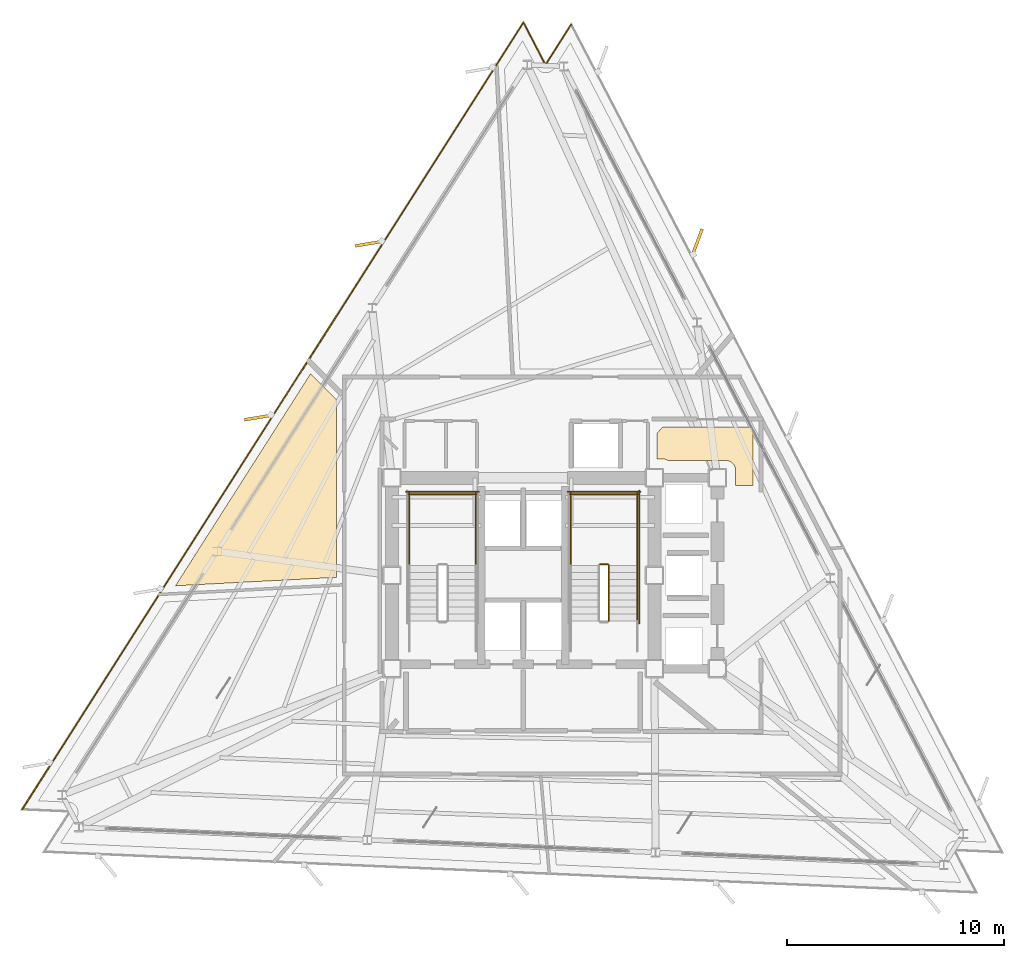
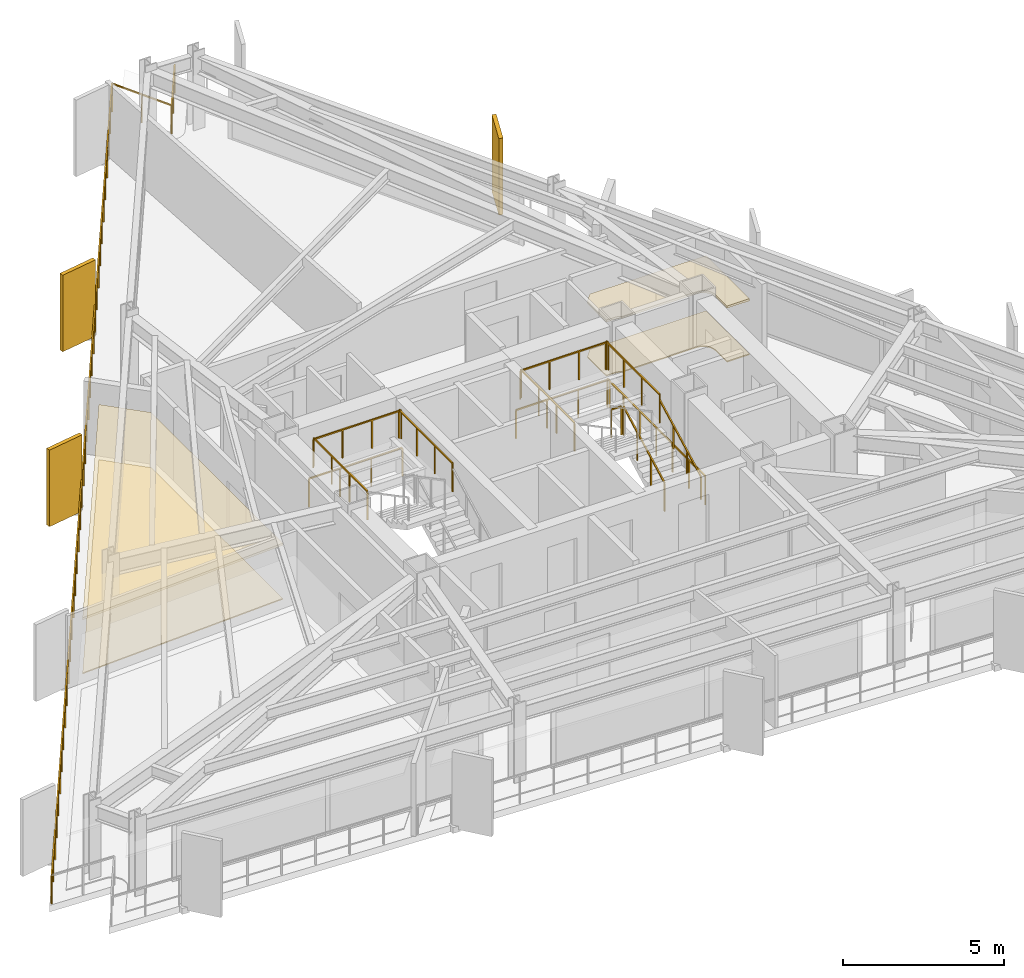
# One storey, part 11 of 12: 13 railings, 4 coverings, 3 shading devices.
"""IFC4 building model written with IfcOpenShell, lengths in metres."""

from ifc_helpers import new_model, si_unit, direction, frame, origin, origin_2d, place, context, subcontext, project, spatial, polyline, rectangle, outline, extrude, material, layer, layer_set, type_object, element, save


model = new_model("IFC4")

# Units and contexts
model_context = context("Model", 3, precision=1e-05, world=origin(), true_north=direction((0.0, 1.0)))
body_context = subcontext(model_context, "Body", "Model", "MODEL_VIEW")
ifc_project = project(units=[si_unit("LENGTHUNIT", "METRE"), si_unit("AREAUNIT", "SQUARE_METRE"), si_unit("VOLUMEUNIT", "CUBIC_METRE"), si_unit("PLANEANGLEUNIT", "RADIAN"), si_unit("MASSUNIT", "GRAM", prefix="KILO")], contexts=[model_context])

# Site, building, storey
site_placement = place(None, origin())
site = spatial("IfcSite", under=ifc_project, at=site_placement, CompositionType="ELEMENT")
building_placement = place(site_placement, origin())
building = spatial("IfcBuilding", under=site, at=building_placement, Name="Rocaltana Carrier Exchange", CompositionType="ELEMENT")
storey_placement = place(building_placement, frame((0.0, 0.0, 132.0)))
storey = spatial("IfcBuildingStorey", under=building, at=storey_placement, Name="L41", CompositionType="ELEMENT", Elevation=132.0)

# Coverings
ifc_material_1 = material(Name="Honed Bogota Sandstone Tile", Category="masonry")
ifc_layer_1 = layer(ifc_material_1, 0.0400390625)
ifc_layer_set_1 = layer_set([ifc_layer_1], Name="Honed Bogota Sandstone Tile")
covering_type_1 = type_object("IfcCoveringType", Name="Honed Stone Lobby Flooring 40", PredefinedType="FLOORING", material=ifc_layer_set_1)
covering_1_placement = place(storey_placement, origin())
element("IfcCovering", 1, at=covering_1_placement, inside=storey, type_object=covering_type_1, Name="L41 Peering Conference Room Finish Floor", PredefinedType="FLOORING", context=body_context, shape_type="SweptSolid", body=[
    extrude(outline(polyline([(6.6875, 5.2900390625), (6.682861328125, 5.293212890625), (6.66943359375, 5.30126953125), (6.64501953125, 5.314208984375), (6.630859375, 5.32080078125), (6.605712890625, 5.33154296875), (6.5908203125, 5.336669921875), (6.564453125, 5.3447265625), (6.54931640625, 5.348388671875), (6.522216796875, 5.35400390625), (6.5068359375, 5.356201171875), (6.4794921875, 5.35888671875), (6.463623046875, 5.359619140625), (6.449951171875, 5.360107421875), (6.159912109375, 5.360107421875), (6.159912109375, 6.53759765625), (6.4228515625, 6.840087890625), (10.60009765625, 6.840087890625), (10.60009765625, 4.139892578125), (9.7900390625, 4.139892578125), (9.7900390625, 4.85009765625), (9.789794921875, 4.86376953125), (9.788818359375, 4.87939453125), (9.7861328125, 4.90673828125), (9.783935546875, 4.92236328125), (9.778564453125, 4.94921875), (9.774658203125, 4.964599609375), (9.7666015625, 4.99072265625), (9.761474609375, 5.005615234375), (9.7509765625, 5.031005859375), (9.744140625, 5.045166015625), (9.731201171875, 5.0693359375), (9.72314453125, 5.082763671875), (9.7080078125, 5.105712890625), (9.698486328125, 5.118408203125), (9.68115234375, 5.139404296875), (9.670654296875, 5.151123046875), (9.651123046875, 5.170654296875), (9.639404296875, 5.18115234375), (9.618408203125, 5.198486328125), (9.605712890625, 5.2080078125), (9.582763671875, 5.22314453125), (9.5693359375, 5.231201171875), (9.545166015625, 5.244140625), (9.531005859375, 5.2509765625), (9.505615234375, 5.261474609375), (9.49072265625, 5.2666015625), (9.464599609375, 5.274658203125), (9.44921875, 5.278564453125), (9.42236328125, 5.283935546875), (9.40673828125, 5.2861328125), (9.37939453125, 5.288818359375), (9.36376953125, 5.289794921875), (9.35009765625, 5.2900390625), (6.6875, 5.2900390625)])), origin(), (0.0, 0.0, 1.0), 0.0400390625),
])
covering_2_placement = place(storey_placement, origin())
element("IfcCovering", 2, at=covering_2_placement, inside=storey, type_object=covering_type_1, Name="L41 Carrier Peering Suite Finish Floor", PredefinedType="FLOORING", context=body_context, shape_type="SweptSolid", body=[
    extrude(outline(polyline([(-9.802734375, 9.293701171875), (-8.610107421875, 8.100830078125), (-8.610107421875, -0.0908203125), (-16.02880859375, -0.4794921875), (-9.802734375, 9.293701171875)])), origin(), (0.0, 0.0, 1.0), 0.0400390625),
])
ifc_material_2 = material(Name="Anodised Aluminium 6063-T6", Category="aluminium")
ifc_layer_2 = layer(ifc_material_2, 0.0849609375)
ifc_layer_set_2 = layer_set([ifc_layer_2], Name="Anodised Aluminium 6063-T6")
covering_type_2 = type_object("IfcCoveringType", Name="Linear Baffle Acoustic Ceiling 85", PredefinedType="CEILING", material=ifc_layer_set_2)
covering_3_placement = place(storey_placement, frame((0.0, 0.0, 2.052978515625)))
element("IfcCovering", 3, at=covering_3_placement, inside=storey, type_object=covering_type_2, Name="L41 Peering Conference Room Acoustic Ceiling", PredefinedType="CEILING", context=body_context, shape_type="SweptSolid", body=[
    extrude(outline(polyline([(6.6875, 5.2900390625), (6.682861328125, 5.293212890625), (6.66943359375, 5.30126953125), (6.64501953125, 5.314208984375), (6.630859375, 5.32080078125), (6.605712890625, 5.33154296875), (6.5908203125, 5.336669921875), (6.564453125, 5.3447265625), (6.54931640625, 5.348388671875), (6.522216796875, 5.35400390625), (6.5068359375, 5.356201171875), (6.4794921875, 5.35888671875), (6.463623046875, 5.359619140625), (6.449951171875, 5.360107421875), (6.159912109375, 5.360107421875), (6.159912109375, 6.53759765625), (6.4228515625, 6.840087890625), (10.60009765625, 6.840087890625), (10.60009765625, 4.139892578125), (9.7900390625, 4.139892578125), (9.7900390625, 4.85009765625), (9.789794921875, 4.86376953125), (9.788818359375, 4.87939453125), (9.7861328125, 4.90673828125), (9.783935546875, 4.92236328125), (9.778564453125, 4.94921875), (9.774658203125, 4.964599609375), (9.7666015625, 4.99072265625), (9.761474609375, 5.005615234375), (9.7509765625, 5.031005859375), (9.744140625, 5.045166015625), (9.731201171875, 5.0693359375), (9.72314453125, 5.082763671875), (9.7080078125, 5.105712890625), (9.698486328125, 5.118408203125), (9.68115234375, 5.139404296875), (9.670654296875, 5.151123046875), (9.651123046875, 5.170654296875), (9.639404296875, 5.18115234375), (9.618408203125, 5.198486328125), (9.605712890625, 5.2080078125), (9.582763671875, 5.22314453125), (9.5693359375, 5.231201171875), (9.545166015625, 5.244140625), (9.531005859375, 5.2509765625), (9.505615234375, 5.261474609375), (9.49072265625, 5.2666015625), (9.464599609375, 5.274658203125), (9.44921875, 5.278564453125), (9.42236328125, 5.283935546875), (9.40673828125, 5.2861328125), (9.37939453125, 5.288818359375), (9.36376953125, 5.289794921875), (9.35009765625, 5.2900390625), (6.6875, 5.2900390625)])), origin(), (0.0, 0.0, 1.0), 0.0849609375),
])
covering_4_placement = place(storey_placement, frame((0.0, 0.0, 2.052978515625)))
element("IfcCovering", 4, at=covering_4_placement, inside=storey, type_object=covering_type_2, Name="L41 Carrier Peering Suite Acoustic Ceiling", PredefinedType="CEILING", context=body_context, shape_type="SweptSolid", body=[
    extrude(outline(polyline([(-9.802734375, 9.293701171875), (-8.610107421875, 8.100830078125), (-8.610107421875, -0.0908203125), (-16.02880859375, -0.4794921875), (-9.802734375, 9.293701171875)])), origin(), (0.0, 0.0, 1.0), 0.0849609375),
])

# Railings
ifc_material_3 = material(Name="Brushed Architectural Stainless Tube", Category="steel")
ifc_layer_3 = layer(ifc_material_3, 0.048095703125)
ifc_layer_set_3 = layer_set([ifc_layer_3], Name="Brushed Architectural Stainless Tube")
railing_type_1 = type_object("IfcRailingType", Name="Stair Wall Handrail 920", PredefinedType="HANDRAIL", material=ifc_layer_set_3)
railing_1_placement = place(storey_placement, frame((5.25, -2.10009765625, 0.1689453125)))
element("IfcRailing", 5, at=railing_1_placement, inside=storey, type_object=railing_type_1, Name="L41 ST-2 stair handrail 1", PredefinedType="HANDRAIL", context=body_context, shape_type="SweptSolid", body=[
    extrude(rectangle(XDim=0.048095703125, YDim=0.048095703125, at=origin_2d()), frame((0.0, 0.0, 0.8759765625), z_axis=(0.0, 0.884394423565, 0.466740295633), x_axis=(-1.0, 0.0, 0.0)), (0.0, 0.0, 1.0), 2.894775390625),
    extrude(rectangle(XDim=0.0419921875, YDim=0.0419921875, at=origin_2d()), origin(), (0.0, 0.0, 1.0), 0.851806640625),
    extrude(rectangle(XDim=0.0419921875, YDim=0.0419921875, at=origin_2d()), frame((0.0, 0.853271484375, 0.450439453125)), (0.0, 0.0, 1.0), 0.851806640625),
    extrude(rectangle(XDim=0.0419921875, YDim=0.0419921875, at=origin_2d()), frame((0.0, 1.706787109375, 0.900634765625)), (0.0, 0.0, 1.0), 0.851806640625),
    extrude(rectangle(XDim=0.0419921875, YDim=0.0419921875, at=origin_2d()), frame((0.0, 2.56005859375, 1.35107421875)), (0.0, 0.0, 1.0), 0.851806640625),
])
ifc_material_4 = material(Name="Powder-Coated Aluminium 6063-T6", Category="aluminium")
ifc_layer_4 = layer(ifc_material_4, 0.048095703125)
ifc_layer_set_4 = layer_set([ifc_layer_4], Name="Powder-Coated Aluminium 6063-T6")
railing_type_2 = type_object("IfcRailingType", Name="Stair Well Guardrail 1100", PredefinedType="GUARDRAIL", material=ifc_layer_set_4)
for number, where, name in (
    (6, (-2.18994140625, 0.4599609375, 1.52001953125), "L41 ST-1 stair guard 3"),
    (7, (-5.25, 0.4599609375, 1.52001953125), "L41 ST-1 stair guard 4"),
):
    element("IfcRailing", number, at=place(storey_placement, frame(where)), inside=storey, type_object=railing_type_2, Name=name, PredefinedType="GUARDRAIL", context=body_context, shape_type="SweptSolid", body=[
        extrude(rectangle(XDim=0.048095703125, YDim=0.048095703125, at=origin_2d()), frame((0.0, 0.0, 1.076171875), z_axis=(0.0, 1.0, 0.0), x_axis=(-1.0, 0.0, 0.0)), (0.0, 0.0, 1.0), 3.340087890625),
        extrude(rectangle(XDim=0.0419921875, YDim=0.0419921875, at=origin_2d()), origin(), (0.0, 0.0, 1.0), 1.052001953125),
        extrude(rectangle(XDim=0.0419921875, YDim=0.0419921875, at=origin_2d()), frame((0.0, 1.11328125, 0.0)), (0.0, 0.0, 1.0), 1.052001953125),
        extrude(rectangle(XDim=0.0419921875, YDim=0.0419921875, at=origin_2d()), frame((0.0, 2.226806640625, 0.0)), (0.0, 0.0, 1.0), 1.052001953125),
        extrude(rectangle(XDim=0.0419921875, YDim=0.0419921875, at=origin_2d()), frame((0.0, 3.340087890625, 0.0)), (0.0, 0.0, 1.0), 1.052001953125),
    ])
railing_2_placement = place(storey_placement, frame((-2.139892578125, 3.75, 1.52001953125)))
element("IfcRailing", 8, at=railing_2_placement, inside=storey, type_object=railing_type_2, Name="L41 ST-1 stair guard 5", PredefinedType="GUARDRAIL", context=body_context, shape_type="SweptSolid", body=[
    extrude(rectangle(XDim=0.048095703125, YDim=0.048095703125, at=origin_2d()), frame((0.0, 0.0, 1.076171875), z_axis=(-1.0, 0.0, 0.0), x_axis=(0.0, -1.0, 0.0)), (0.0, 0.0, 1.0), 3.16015625),
    extrude(rectangle(XDim=0.0419921875, YDim=0.0419921875, at=origin_2d()), origin(), (0.0, 0.0, 1.0), 1.052001953125),
    extrude(rectangle(XDim=0.0419921875, YDim=0.0419921875, at=origin_2d()), frame((-1.053466796875, 0.0, 0.0)), (0.0, 0.0, 1.0), 1.052001953125),
    extrude(rectangle(XDim=0.0419921875, YDim=0.0419921875, at=origin_2d()), frame((-2.106689453125, 0.0, 0.0)), (0.0, 0.0, 1.0), 1.052001953125),
    extrude(rectangle(XDim=0.0419921875, YDim=0.0419921875, at=origin_2d()), frame((-3.16015625, 0.0, 0.0)), (0.0, 0.0, 1.0), 1.052001953125),
])
railing_3_placement = place(storey_placement, frame((-2.0400390625, 3.85009765625, 0.0)))
element("IfcRailing", 9, at=railing_3_placement, inside=storey, type_object=railing_type_2, Name="L41 ST-1 stair guard 12", PredefinedType="GUARDRAIL", context=body_context, shape_type="SweptSolid", body=[
    extrude(rectangle(XDim=0.048095703125, YDim=0.048095703125, at=origin_2d()), frame((0.0, 0.0, 1.076171875), z_axis=(-1.0, 0.0, 0.0), x_axis=(0.0, -1.0, 0.0)), (0.0, 0.0, 1.0), 3.35986328125),
    extrude(rectangle(XDim=0.0419921875, YDim=0.0419921875, at=origin_2d()), origin(), (0.0, 0.0, 1.0), 1.052001953125),
    extrude(rectangle(XDim=0.0419921875, YDim=0.0419921875, at=origin_2d()), frame((-1.119873046875, 0.0, 0.0)), (0.0, 0.0, 1.0), 1.052001953125),
    extrude(rectangle(XDim=0.0419921875, YDim=0.0419921875, at=origin_2d()), frame((-2.239990234375, 0.0, 0.0)), (0.0, 0.0, 1.0), 1.052001953125),
    extrude(rectangle(XDim=0.0419921875, YDim=0.0419921875, at=origin_2d()), frame((-3.35986328125, 0.0, 0.0)), (0.0, 0.0, 1.0), 1.052001953125),
])
railing_4_placement = place(storey_placement, frame((3.949951171875, -2.10009765625, 0.1689453125)))
element("IfcRailing", 10, at=railing_4_placement, inside=storey, type_object=railing_type_2, Name="L41 ST-2 stair guard 1", PredefinedType="GUARDRAIL", context=body_context, shape_type="SweptSolid", body=[
    extrude(rectangle(XDim=0.048095703125, YDim=0.048095703125, at=origin_2d()), frame((0.0, 0.0, 1.076171875), z_axis=(0.0, 0.884394423565, 0.466740295633), x_axis=(-1.0, 0.0, 0.0)), (0.0, 0.0, 1.0), 2.894775390625),
    extrude(rectangle(XDim=0.0419921875, YDim=0.0419921875, at=origin_2d()), origin(), (0.0, 0.0, 1.0), 1.052001953125),
    extrude(rectangle(XDim=0.0419921875, YDim=0.0419921875, at=origin_2d()), frame((0.0, 0.853271484375, 0.450439453125)), (0.0, 0.0, 1.0), 1.052001953125),
    extrude(rectangle(XDim=0.0419921875, YDim=0.0419921875, at=origin_2d()), frame((0.0, 1.706787109375, 0.900634765625)), (0.0, 0.0, 1.0), 1.052001953125),
    extrude(rectangle(XDim=0.0419921875, YDim=0.0419921875, at=origin_2d()), frame((0.0, 2.56005859375, 1.35107421875)), (0.0, 0.0, 1.0), 1.052001953125),
])
railing_5_placement = place(storey_placement, frame((3.89990234375, 0.510009765625, 1.52001953125)))
element("IfcRailing", 11, at=railing_5_placement, inside=storey, type_object=railing_type_2, Name="L41 ST-2 stair guard 2", PredefinedType="GUARDRAIL", context=body_context, shape_type="SweptSolid", body=[
    extrude(rectangle(XDim=0.048095703125, YDim=0.048095703125, at=origin_2d()), frame((0.0, 0.0, 1.076171875), z_axis=(-1.0, 0.0, 0.0), x_axis=(0.0, -1.0, 0.0)), (0.0, 0.0, 1.0), 0.35986328125),
    extrude(rectangle(XDim=0.0419921875, YDim=0.0419921875, at=origin_2d()), origin(), (0.0, 0.0, 1.0), 1.052001953125),
    extrude(rectangle(XDim=0.0419921875, YDim=0.0419921875, at=origin_2d()), frame((-0.35986328125, 0.0, 0.0)), (0.0, 0.0, 1.0), 1.052001953125),
])
for number, where, name in (
    (12, (5.25, 0.4599609375, 1.52001953125), "L41 ST-2 stair guard 3"),
    (13, (2.18994140625, 0.4599609375, 1.52001953125), "L41 ST-2 stair guard 4"),
):
    element("IfcRailing", number, at=place(storey_placement, frame(where)), inside=storey, type_object=railing_type_2, Name=name, PredefinedType="GUARDRAIL", context=body_context, shape_type="SweptSolid", body=[
        extrude(rectangle(XDim=0.048095703125, YDim=0.048095703125, at=origin_2d()), frame((0.0, 0.0, 1.076171875), z_axis=(0.0, 1.0, 0.0), x_axis=(-1.0, 0.0, 0.0)), (0.0, 0.0, 1.0), 3.340087890625),
        extrude(rectangle(XDim=0.0419921875, YDim=0.0419921875, at=origin_2d()), origin(), (0.0, 0.0, 1.0), 1.052001953125),
        extrude(rectangle(XDim=0.0419921875, YDim=0.0419921875, at=origin_2d()), frame((0.0, 1.11328125, 0.0)), (0.0, 0.0, 1.0), 1.052001953125),
        extrude(rectangle(XDim=0.0419921875, YDim=0.0419921875, at=origin_2d()), frame((0.0, 2.226806640625, 0.0)), (0.0, 0.0, 1.0), 1.052001953125),
        extrude(rectangle(XDim=0.0419921875, YDim=0.0419921875, at=origin_2d()), frame((0.0, 3.340087890625, 0.0)), (0.0, 0.0, 1.0), 1.052001953125),
    ])
railing_6_placement = place(storey_placement, frame((5.300048828125, 3.75, 1.52001953125)))
element("IfcRailing", 14, at=railing_6_placement, inside=storey, type_object=railing_type_2, Name="L41 ST-2 stair guard 5", PredefinedType="GUARDRAIL", context=body_context, shape_type="SweptSolid", body=[
    extrude(rectangle(XDim=0.048095703125, YDim=0.048095703125, at=origin_2d()), frame((0.0, 0.0, 1.076171875), z_axis=(-1.0, 0.0, 0.0), x_axis=(0.0, -1.0, 0.0)), (0.0, 0.0, 1.0), 3.16015625),
    extrude(rectangle(XDim=0.0419921875, YDim=0.0419921875, at=origin_2d()), origin(), (0.0, 0.0, 1.0), 1.052001953125),
    extrude(rectangle(XDim=0.0419921875, YDim=0.0419921875, at=origin_2d()), frame((-1.053466796875, 0.0, 0.0)), (0.0, 0.0, 1.0), 1.052001953125),
    extrude(rectangle(XDim=0.0419921875, YDim=0.0419921875, at=origin_2d()), frame((-2.106689453125, 0.0, 0.0)), (0.0, 0.0, 1.0), 1.052001953125),
    extrude(rectangle(XDim=0.0419921875, YDim=0.0419921875, at=origin_2d()), frame((-3.16015625, 0.0, 0.0)), (0.0, 0.0, 1.0), 1.052001953125),
])
railing_7_placement = place(storey_placement, frame((5.35009765625, -2.199951171875, 0.0)))
element("IfcRailing", 15, at=railing_7_placement, inside=storey, type_object=railing_type_2, Name="L41 ST-2 stair guard 10", PredefinedType="GUARDRAIL", context=body_context, shape_type="SweptSolid", body=[
    extrude(rectangle(XDim=0.048095703125, YDim=0.048095703125, at=origin_2d()), frame((0.0, 0.0, 1.076171875), z_axis=(0.0, 1.0, 0.0), x_axis=(-1.0, 0.0, 0.0)), (0.0, 0.0, 1.0), 6.099853515625),
    extrude(rectangle(XDim=0.0419921875, YDim=0.0419921875, at=origin_2d()), origin(), (0.0, 0.0, 1.0), 1.052001953125),
    extrude(rectangle(XDim=0.0419921875, YDim=0.0419921875, at=origin_2d()), frame((0.0, 1.0166015625, 0.0)), (0.0, 0.0, 1.0), 1.052001953125),
    extrude(rectangle(XDim=0.0419921875, YDim=0.0419921875, at=origin_2d()), frame((0.0, 2.033203125, 0.0)), (0.0, 0.0, 1.0), 1.052001953125),
    extrude(rectangle(XDim=0.0419921875, YDim=0.0419921875, at=origin_2d()), frame((0.0, 3.0498046875, 0.0)), (0.0, 0.0, 1.0), 1.052001953125),
    extrude(rectangle(XDim=0.0419921875, YDim=0.0419921875, at=origin_2d()), frame((0.0, 4.066650390625, 0.0)), (0.0, 0.0, 1.0), 1.052001953125),
    extrude(rectangle(XDim=0.0419921875, YDim=0.0419921875, at=origin_2d()), frame((0.0, 5.083251953125, 0.0)), (0.0, 0.0, 1.0), 1.052001953125),
    extrude(rectangle(XDim=0.0419921875, YDim=0.0419921875, at=origin_2d()), frame((0.0, 6.099853515625, 0.0)), (0.0, 0.0, 1.0), 1.052001953125),
])
railing_8_placement = place(storey_placement, frame((5.39990234375, 3.85009765625, 0.0)))
element("IfcRailing", 16, at=railing_8_placement, inside=storey, type_object=railing_type_2, Name="L41 ST-2 stair guard 12", PredefinedType="GUARDRAIL", context=body_context, shape_type="SweptSolid", body=[
    extrude(rectangle(XDim=0.048095703125, YDim=0.048095703125, at=origin_2d()), frame((0.0, 0.0, 1.076171875), z_axis=(-1.0, 0.0, 0.0), x_axis=(0.0, -1.0, 0.0)), (0.0, 0.0, 1.0), 3.35986328125),
    extrude(rectangle(XDim=0.0419921875, YDim=0.0419921875, at=origin_2d()), origin(), (0.0, 0.0, 1.0), 1.052001953125),
    extrude(rectangle(XDim=0.0419921875, YDim=0.0419921875, at=origin_2d()), frame((-1.119873046875, 0.0, 0.0)), (0.0, 0.0, 1.0), 1.052001953125),
    extrude(rectangle(XDim=0.0419921875, YDim=0.0419921875, at=origin_2d()), frame((-2.239990234375, 0.0, 0.0)), (0.0, 0.0, 1.0), 1.052001953125),
    extrude(rectangle(XDim=0.0419921875, YDim=0.0419921875, at=origin_2d()), frame((-3.35986328125, 0.0, 0.0)), (0.0, 0.0, 1.0), 1.052001953125),
])

# Shading devices
ifc_material_5 = material(Name="Honed Bogota Sandstone & Concrete C45/55", Category="masonry")
ifc_layer_5 = layer(ifc_material_5, 0.139892578125)
ifc_layer_set_5 = layer_set([ifc_layer_5], Name="Honed Bogota Sandstone & Concrete C45/55")
shading_device_type = type_object("IfcShadingDeviceType", Name="Vertical Sandstone Shading Fin 1320x140", PredefinedType="USERDEFINED", material=ifc_layer_set_5)
for number, where, z_axis, x_axis, name in (
    (17, (8.018798828125, 15.352294921875, -0.1201171875), (0.0, 0.0, 1.0), (0.350207381259, 0.936672189248, 0.0), "L41 Sandstone Vertical Fin F1-04"),
    (18, (-7.09619140625, 15.29296875, -0.1201171875), (0.0, 0.0, 1.0), (-0.986285601537, -0.165047605861, 0.0), "L41 Sandstone Vertical Fin F2-02"),
    (19, (-12.200439453125, 7.28076171875, -0.1201171875), (0.0, 0.0, 1.0), (-0.986285601537, -0.165047605861, 0.0), "L41 Sandstone Vertical Fin F2-03"),
):
    element("IfcShadingDevice", number, at=place(storey_placement, frame(where, z_axis=z_axis, x_axis=x_axis)), inside=storey, type_object=shading_device_type, Name=name, ObjectType="FIN", PredefinedType="USERDEFINED", context=body_context, shape_type="SweptSolid", body=[
        extrude(rectangle(XDim=1.320068359375, YDim=0.139892578125, at=origin_2d()), origin(), (0.0, 0.0, 1.0), 2.907958984375),
    ])

# Railing
ifc_material_6 = material(Name="Powder-Coated Aluminium 6063-T6", Category="aluminium")
ifc_layer_6 = layer(ifc_material_6, 0.06005859375)
ifc_layer_set_6 = layer_set([ifc_layer_6], Name="Powder-Coated Aluminium 6063-T6")
railing_type_3 = type_object("IfcRailingType", Name="Wind-Floor & Terrace Perimeter Guardrail 1100", PredefinedType="GUARDRAIL", material=ifc_layer_set_6)
railing_9_placement = place(storey_placement, frame((-23.08837890625, -10.77880859375, 0.0)))
element("IfcRailing", 20, at=railing_9_placement, inside=storey, type_object=railing_type_3, Name="L41 Perimeter Balcony Guardrail 2", PredefinedType="GUARDRAIL", context=body_context, shape_type="SweptSolid", body=[
    extrude(rectangle(XDim=0.048095703125, YDim=0.048095703125, at=origin_2d()), frame((0.0, 0.0, 1.076171875), z_axis=(0.537302027916, 0.843389904373, 0.0), x_axis=(-0.843389904373, 0.537302027916, 0.0)), (0.0, 0.0, 1.0), 42.9921875),
    extrude(rectangle(XDim=0.048095703125, YDim=0.048095703125, at=origin_2d()), frame((23.099853515625, 36.25927734375, 1.076171875), z_axis=(0.46171255631, -0.887029602294, 0.0), x_axis=(0.887029602294, 0.46171255631, 0.0)), (0.0, 0.0, 1.0), 2.2001953125),
    extrude(rectangle(XDim=0.048095703125, YDim=0.048095703125, at=origin_2d()), frame((24.11572265625, 34.3076171875, 1.076171875), z_axis=(0.537270321913, 0.843410102614, 0.0), x_axis=(-0.843410102614, 0.537270321913, 0.0)), (0.0, 0.0, 1.0), 2.2001953125),
    extrude(rectangle(XDim=0.0419921875, YDim=0.0419921875, at=origin_2d()), origin(), (0.0, 0.0, 1.0), 1.052001953125),
    extrude(rectangle(XDim=0.0419921875, YDim=0.0419921875, at=origin_2d()), frame((0.6416015625, 1.00732421875, 0.0)), (0.0, 0.0, 1.0), 1.052001953125),
    extrude(rectangle(XDim=0.0419921875, YDim=0.0419921875, at=origin_2d()), frame((1.283203125, 2.014404296875, 0.0)), (0.0, 0.0, 1.0), 1.052001953125),
    extrude(rectangle(XDim=0.0419921875, YDim=0.0419921875, at=origin_2d()), frame((1.925048828125, 3.021484375, 0.0)), (0.0, 0.0, 1.0), 1.052001953125),
    extrude(rectangle(XDim=0.0419921875, YDim=0.0419921875, at=origin_2d()), frame((2.566650390625, 4.02880859375, 0.0)), (0.0, 0.0, 1.0), 1.052001953125),
    extrude(rectangle(XDim=0.0419921875, YDim=0.0419921875, at=origin_2d()), frame((3.208251953125, 5.0361328125, 0.0)), (0.0, 0.0, 1.0), 1.052001953125),
    extrude(rectangle(XDim=0.0419921875, YDim=0.0419921875, at=origin_2d()), frame((3.85009765625, 6.043212890625, 0.0)), (0.0, 0.0, 1.0), 1.052001953125),
    extrude(rectangle(XDim=0.0419921875, YDim=0.0419921875, at=origin_2d()), frame((4.49169921875, 7.05029296875, 0.0)), (0.0, 0.0, 1.0), 1.052001953125),
    extrude(rectangle(XDim=0.0419921875, YDim=0.0419921875, at=origin_2d()), frame((5.13330078125, 8.0576171875, 0.0)), (0.0, 0.0, 1.0), 1.052001953125),
    extrude(rectangle(XDim=0.0419921875, YDim=0.0419921875, at=origin_2d()), frame((5.77490234375, 9.06494140625, 0.0)), (0.0, 0.0, 1.0), 1.052001953125),
    extrude(rectangle(XDim=0.0419921875, YDim=0.0419921875, at=origin_2d()), frame((6.41650390625, 10.072021484375, 0.0)), (0.0, 0.0, 1.0), 1.052001953125),
    extrude(rectangle(XDim=0.0419921875, YDim=0.0419921875, at=origin_2d()), frame((7.058349609375, 11.079345703125, 0.0)), (0.0, 0.0, 1.0), 1.052001953125),
    extrude(rectangle(XDim=0.0419921875, YDim=0.0419921875, at=origin_2d()), frame((7.699951171875, 12.08642578125, 0.0)), (0.0, 0.0, 1.0), 1.052001953125),
    extrude(rectangle(XDim=0.0419921875, YDim=0.0419921875, at=origin_2d()), frame((8.341552734375, 13.09375, 0.0)), (0.0, 0.0, 1.0), 1.052001953125),
    extrude(rectangle(XDim=0.0419921875, YDim=0.0419921875, at=origin_2d()), frame((8.9833984375, 14.100830078125, 0.0)), (0.0, 0.0, 1.0), 1.052001953125),
    extrude(rectangle(XDim=0.0419921875, YDim=0.0419921875, at=origin_2d()), frame((9.625, 15.10791015625, 0.0)), (0.0, 0.0, 1.0), 1.052001953125),
    extrude(rectangle(XDim=0.0419921875, YDim=0.0419921875, at=origin_2d()), frame((10.2666015625, 16.115234375, 0.0)), (0.0, 0.0, 1.0), 1.052001953125),
    extrude(rectangle(XDim=0.0419921875, YDim=0.0419921875, at=origin_2d()), frame((10.908203125, 17.12255859375, 0.0)), (0.0, 0.0, 1.0), 1.052001953125),
    extrude(rectangle(XDim=0.0419921875, YDim=0.0419921875, at=origin_2d()), frame((11.5498046875, 18.129638671875, 0.0)), (0.0, 0.0, 1.0), 1.052001953125),
    extrude(rectangle(XDim=0.0419921875, YDim=0.0419921875, at=origin_2d()), frame((12.191650390625, 19.13671875, 0.0)), (0.0, 0.0, 1.0), 1.052001953125),
    extrude(rectangle(XDim=0.0419921875, YDim=0.0419921875, at=origin_2d()), frame((12.833251953125, 20.14404296875, 0.0)), (0.0, 0.0, 1.0), 1.052001953125),
    extrude(rectangle(XDim=0.0419921875, YDim=0.0419921875, at=origin_2d()), frame((13.474853515625, 21.1513671875, 0.0)), (0.0, 0.0, 1.0), 1.052001953125),
    extrude(rectangle(XDim=0.0419921875, YDim=0.0419921875, at=origin_2d()), frame((14.11669921875, 22.158447265625, 0.0)), (0.0, 0.0, 1.0), 1.052001953125),
    extrude(rectangle(XDim=0.0419921875, YDim=0.0419921875, at=origin_2d()), frame((14.75830078125, 23.16552734375, 0.0)), (0.0, 0.0, 1.0), 1.052001953125),
    extrude(rectangle(XDim=0.0419921875, YDim=0.0419921875, at=origin_2d()), frame((15.39990234375, 24.1728515625, 0.0)), (0.0, 0.0, 1.0), 1.052001953125),
    extrude(rectangle(XDim=0.0419921875, YDim=0.0419921875, at=origin_2d()), frame((16.04150390625, 25.18017578125, 0.0)), (0.0, 0.0, 1.0), 1.052001953125),
    extrude(rectangle(XDim=0.0419921875, YDim=0.0419921875, at=origin_2d()), frame((16.68310546875, 26.187255859375, 0.0)), (0.0, 0.0, 1.0), 1.052001953125),
    extrude(rectangle(XDim=0.0419921875, YDim=0.0419921875, at=origin_2d()), frame((17.324951171875, 27.1943359375, 0.0)), (0.0, 0.0, 1.0), 1.052001953125),
    extrude(rectangle(XDim=0.0419921875, YDim=0.0419921875, at=origin_2d()), frame((17.966552734375, 28.20166015625, 0.0)), (0.0, 0.0, 1.0), 1.052001953125),
    extrude(rectangle(XDim=0.0419921875, YDim=0.0419921875, at=origin_2d()), frame((18.608154296875, 29.208984375, 0.0)), (0.0, 0.0, 1.0), 1.052001953125),
    extrude(rectangle(XDim=0.0419921875, YDim=0.0419921875, at=origin_2d()), frame((19.25, 30.216064453125, 0.0)), (0.0, 0.0, 1.0), 1.052001953125),
    extrude(rectangle(XDim=0.0419921875, YDim=0.0419921875, at=origin_2d()), frame((19.8916015625, 31.223388671875, 0.0)), (0.0, 0.0, 1.0), 1.052001953125),
    extrude(rectangle(XDim=0.0419921875, YDim=0.0419921875, at=origin_2d()), frame((20.533203125, 32.23046875, 0.0)), (0.0, 0.0, 1.0), 1.052001953125),
    extrude(rectangle(XDim=0.0419921875, YDim=0.0419921875, at=origin_2d()), frame((21.1748046875, 33.23779296875, 0.0)), (0.0, 0.0, 1.0), 1.052001953125),
    extrude(rectangle(XDim=0.0419921875, YDim=0.0419921875, at=origin_2d()), frame((21.81640625, 34.244873046875, 0.0)), (0.0, 0.0, 1.0), 1.052001953125),
    extrude(rectangle(XDim=0.0419921875, YDim=0.0419921875, at=origin_2d()), frame((22.458251953125, 35.251953125, 0.0)), (0.0, 0.0, 1.0), 1.052001953125),
    extrude(rectangle(XDim=0.0419921875, YDim=0.0419921875, at=origin_2d()), frame((23.099853515625, 36.25927734375, 0.0)), (0.0, 0.0, 1.0), 1.052001953125),
    extrude(rectangle(XDim=0.0419921875, YDim=0.0419921875, at=origin_2d()), frame((23.60791015625, 35.283447265625, 0.0)), (0.0, 0.0, 1.0), 1.052001953125),
    extrude(rectangle(XDim=0.0419921875, YDim=0.0419921875, at=origin_2d()), frame((24.11572265625, 34.3076171875, 0.0)), (0.0, 0.0, 1.0), 1.052001953125),
    extrude(rectangle(XDim=0.0419921875, YDim=0.0419921875, at=origin_2d()), frame((24.706787109375, 35.2353515625, 0.0)), (0.0, 0.0, 1.0), 1.052001953125),
    extrude(rectangle(XDim=0.0419921875, YDim=0.0419921875, at=origin_2d()), frame((25.2978515625, 36.163330078125, 0.0)), (0.0, 0.0, 1.0), 1.052001953125),
])

save(model, "model.ifc")
